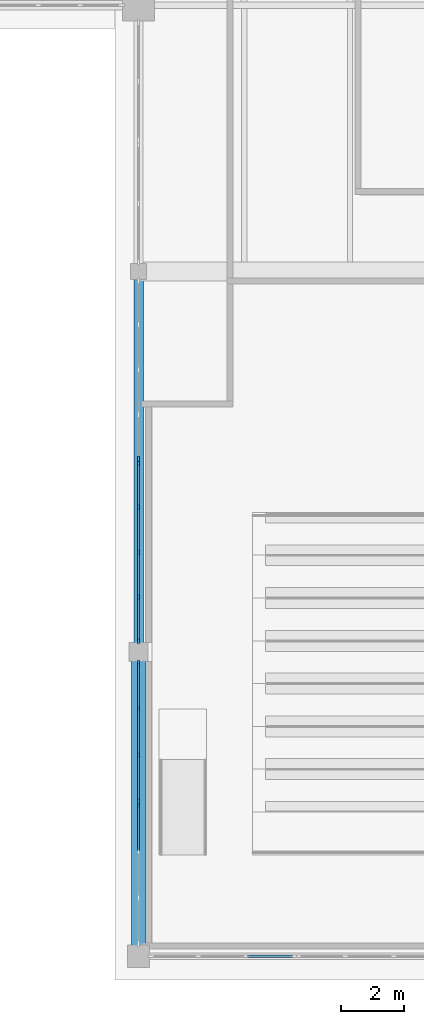
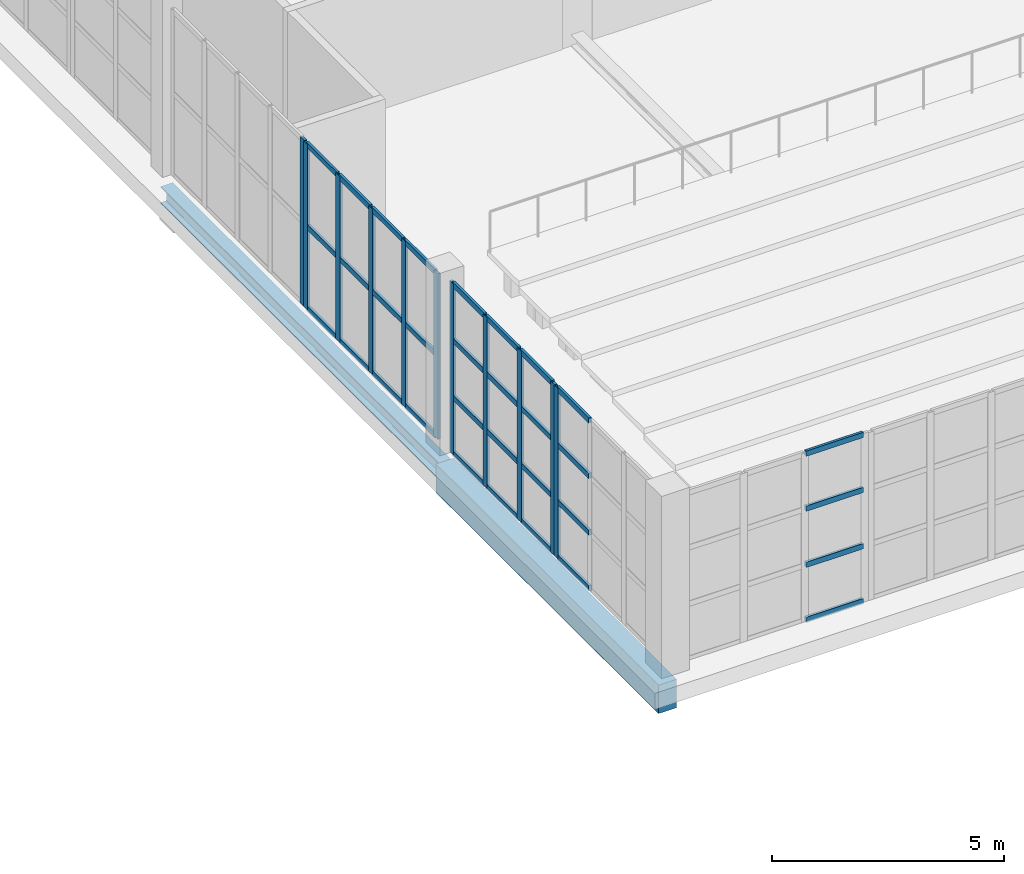
# One storey, part 48 of 121: 43 members, 2 beams, 5 elements without a shape of their own.
"""IFC4 building model written with IfcOpenShell, lengths in metres."""

import ifcopenshell
import ifcopenshell.guid

model = None  # the IFC model being written
_history = None  # IfcOwnerHistory: only IFC2X3 demands one
_inside = {}  # id of a spatial element -> (the spatial element, [elements in it])
_under = {}  # id of a project, library or spatial element -> (it, [spatial elements below it])
_declared = {}  # id of a project -> (the project, [libraries it declares])
_typed = {}  # id of a type object -> (the type object, [elements of that type])
_made_of = {}  # id of a material, layer set ... -> (it, [elements and type objects made of it])


def new_model(schema):
    """Start an empty IFC model of exactly this schema.

    Asked for "IFC4X3", IfcOpenShell would pick the latest addendum, in which some entities
    have other attributes; the version numbers below select the first issue.
    IFC2X3 requires an IfcOwnerHistory on every rooted entity: one is made here for all.
    """
    global model, _history
    if schema == "IFC4X3":
        model = ifcopenshell.file(schema_version=(4, 3, 0, 0))
    else:
        model = ifcopenshell.file(schema=schema)
    _inside.clear()
    _under.clear()
    _declared.clear()
    _typed.clear()
    _made_of.clear()
    _history = None
    if model.schema == "IFC2X3":
        org = make("IfcOrganization", Name="unknown")
        user = make(
            "IfcPersonAndOrganization",
            ThePerson=make("IfcPerson", FamilyName="unknown"),
            TheOrganization=org,
        )
        app = make(
            "IfcApplication",
            ApplicationDeveloper=org,
            Version="unknown",
            ApplicationFullName="unknown",
            ApplicationIdentifier="unknown",
        )
        _history = make(
            "IfcOwnerHistory",
            OwningUser=user,
            OwningApplication=app,
            ChangeAction="ADDED",
            CreationDate=0,
        )
    return model


def make(cls, **values):
    """One entity of the class cls with the attributes given. An attribute that is None is left unset."""
    return model.create_entity(
        cls, **{name: value for name, value in values.items() if value is not None}
    )


def rooted(cls, **values):
    """An entity with a GlobalId (a new one), such as an element, a storey or a relation."""
    return make(cls, GlobalId=ifcopenshell.guid.new(), OwnerHistory=_history, **values)


def si_unit(unit_type, name, prefix=None):
    """IfcSIUnit, for example si_unit("LENGTHUNIT", "METRE", prefix="MILLI")."""
    return make("IfcSIUnit", UnitType=unit_type, Prefix=prefix, Name=name)


def assignment(units):
    """IfcUnitAssignment: the units of a project."""
    return None if units is None else make("IfcUnitAssignment", Units=units)


def point(xyz):
    """IfcCartesianPoint."""
    return None if xyz is None else make("IfcCartesianPoint", Coordinates=xyz)


def direction(xyz):
    """IfcDirection."""
    return None if xyz is None else make("IfcDirection", DirectionRatios=xyz)


def frame(location, z_axis=None, x_axis=None):
    """IfcAxis2Placement3D, a coordinate frame: its origin and axes. An axis left out is left unset."""
    return make(
        "IfcAxis2Placement3D",
        Location=point(location),
        Axis=direction(z_axis),
        RefDirection=direction(x_axis),
    )


def frame_2d(location, x_axis=None):
    """IfcAxis2Placement2D, a coordinate frame in the plane: its origin and x axis."""
    return make(
        "IfcAxis2Placement2D", Location=point(location), RefDirection=direction(x_axis)
    )


def origin():
    """The frame at (0, 0, 0) with its axes left unset."""
    return frame((0.0, 0.0, 0.0))


def origin_2d():
    """The frame at (0, 0) in the plane with its x axis left unset."""
    return frame_2d((0.0, 0.0))


def place(relative_to, where):
    """IfcLocalPlacement: puts the frame where relative to a parent placement (None: the world)."""
    return make(
        "IfcLocalPlacement", PlacementRelTo=relative_to, RelativePlacement=where
    )


def context(
    kind, dimensions, precision=None, world=None, true_north=None, identifier=None
):
    """IfcGeometricRepresentationContext, for example the 3D "Model" context."""
    return make(
        "IfcGeometricRepresentationContext",
        ContextIdentifier=identifier,
        ContextType=kind,
        CoordinateSpaceDimension=dimensions,
        Precision=precision,
        WorldCoordinateSystem=world,
        TrueNorth=true_north,
    )


def subcontext(parent, identifier, kind, view, scale=None):
    """IfcGeometricRepresentationSubContext, for example "Body" below "Model"."""
    return make(
        "IfcGeometricRepresentationSubContext",
        ContextIdentifier=identifier,
        ContextType=kind,
        ParentContext=parent,
        TargetScale=scale,
        TargetView=view,
    )


def project(units=None, contexts=None):
    """IfcProject with its units and contexts."""
    return rooted(
        "IfcProject",
        Name="project",
        RepresentationContexts=contexts,
        UnitsInContext=assignment(units),
    )


def spatial(cls, under=None, at=None, **own):
    """A site, building, storey or space (cls), placed at a placement, below another one or the project."""
    s = rooted(cls, ObjectPlacement=at, **own)
    if under is not None:
        _under.setdefault(under.id(), (under, []))[1].append(s)
    return s


def profile(cls, at=None, kind="AREA", **sizes):
    """A parametric profile (cls). Its sizes go by their IFC names, for example OverallWidth=200.0."""
    return make(cls, ProfileType=kind, Position=at, **sizes)


def rectangle(**sizes):
    """IfcRectangleProfileDef."""
    return profile("IfcRectangleProfileDef", **sizes)


def i_section(**sizes):
    """IfcIShapeProfileDef."""
    return profile("IfcIShapeProfileDef", **sizes)


def extrude(swept, where, along, depth):
    """IfcExtrudedAreaSolid: the profile swept, set in the frame where, extruded along a direction by depth."""
    return make(
        "IfcExtrudedAreaSolid",
        SweptArea=swept,
        Position=where,
        ExtrudedDirection=direction(along),
        Depth=depth,
    )


def shape(context_of_items, identifier, shape_type, items):
    """IfcShapeRepresentation: the items that make up one representation, for example the "Body"."""
    return make(
        "IfcShapeRepresentation",
        ContextOfItems=context_of_items,
        RepresentationIdentifier=identifier,
        RepresentationType=shape_type,
        Items=items,
    )


def material(Name=None, Category=None):
    """IfcMaterial."""
    return make("IfcMaterial", Name=Name, Category=Category)


def layer(
    of_material, thickness, ventilated=None, Name=None, Category=None, Priority=None
):
    """IfcMaterialLayer: one layer of a wall or slab, of a material (None: an air gap)."""
    return make(
        "IfcMaterialLayer",
        Material=of_material,
        LayerThickness=thickness,
        IsVentilated=ventilated,
        Name=Name,
        Category=Category,
        Priority=Priority,
    )


def layer_set(layers, Name=None):
    """IfcMaterialLayerSet."""
    return make("IfcMaterialLayerSet", MaterialLayers=layers, LayerSetName=Name)


def material_profile(
    of_material, cross_section, Name=None, Category=None, Priority=None
):
    """IfcMaterialProfile: a cross section and its material."""
    return make(
        "IfcMaterialProfile",
        Name=Name,
        Material=of_material,
        Profile=cross_section,
        Priority=Priority,
        Category=Category,
    )


def profile_set(profiles, Name=None, composite=None):
    """IfcMaterialProfileSet."""
    return make(
        "IfcMaterialProfileSet",
        Name=Name,
        MaterialProfiles=profiles,
        CompositeProfile=composite,
    )


def made_of(thing, what):
    """Note that an element or type object is made of a material, layer set ...; save() writes the relation."""
    if what is not None:
        _made_of.setdefault(what.id(), (what, []))[1].append(thing)
    return thing


def type_object(cls, material=None, **own):
    """A type object (cls), such as IfcWallType, which elements share."""
    return made_of(rooted(cls, **own), material)


def element(
    cls,
    number,
    at=None,
    inside=None,
    cuts=None,
    type_object=None,
    material=None,
    context=None,
    identifier="Body",
    shape_type=None,
    held_by="IfcProductDefinitionShape",
    body=None,
    shapes=None,
    **own,
):
    """One element of the class cls, such as IfcWall. Its Tag is "e" and its number.

    at: its placement. inside: the storey or other place that contains it. cuts: it is an
    opening in that element (IfcRelVoidsElement). A single representation is given by context,
    identifier, shape_type and body (its items); several are given by shapes. held_by: the class
    of the entity that holds the representations. save() writes the other relations.
    """
    e = rooted(cls, Tag="e%d" % number, ObjectPlacement=at, **own)
    if body is not None:
        shapes = [shape(context, identifier, shape_type, body)]
    if shapes is not None:
        e.Representation = make(held_by, Representations=shapes)
    if inside is not None:
        _inside.setdefault(inside.id(), (inside, []))[1].append(e)
    if cuts is not None:
        rooted(
            "IfcRelVoidsElement", RelatingBuildingElement=cuts, RelatedOpeningElement=e
        )
    if type_object is not None:
        _typed.setdefault(type_object.id(), (type_object, []))[1].append(e)
    return made_of(e, material)


def aggregate(whole, parts):
    """IfcRelAggregates: a whole, such as a stair, and the parts it consists of."""
    return rooted("IfcRelAggregates", RelatingObject=whole, RelatedObjects=parts)


def save(model, path):
    """Write the relations noted so far, then the file.

    IfcRelAggregates (storeys below a building ...), IfcRelContainedInSpatialStructure (elements
    in a storey), IfcRelDefinesByType, IfcRelAssociatesMaterial and IfcRelDeclares: one each for
    every whole, place, type object, material and project.
    """
    for whole, parts in _under.values():
        aggregate(whole, parts)
    for where, things in _inside.values():
        rooted(
            "IfcRelContainedInSpatialStructure",
            RelatedElements=things,
            RelatingStructure=where,
        )
    for kind, things in _typed.values():
        rooted("IfcRelDefinesByType", RelatedObjects=things, RelatingType=kind)
    for what, things in _made_of.values():
        rooted("IfcRelAssociatesMaterial", RelatedObjects=things, RelatingMaterial=what)
    for by, libraries in _declared.values():
        rooted("IfcRelDeclares", RelatingContext=by, RelatedDefinitions=libraries)
    model.write(path)


model = new_model("IFC4")

# Units and contexts
model_context = context("Model", 3, precision=1e-05, world=origin(), true_north=direction((0.0, 1.0)))
body_context = subcontext(model_context, "Body", "Model", "MODEL_VIEW")
ifc_project = project(units=[si_unit("LENGTHUNIT", "METRE"), si_unit("AREAUNIT", "SQUARE_METRE"), si_unit("VOLUMEUNIT", "CUBIC_METRE"), si_unit("PLANEANGLEUNIT", "RADIAN"), si_unit("MASSUNIT", "GRAM", prefix="KILO")], contexts=[model_context])

# Site, building, storey
site_placement = place(None, origin())
site = spatial("IfcSite", under=ifc_project, at=site_placement, CompositionType="ELEMENT")
building_placement = place(site_placement, origin())
building = spatial("IfcBuilding", under=site, at=building_placement, Name="Zereglee Splitstone Museum", CompositionType="ELEMENT")
storey_placement = place(building_placement, origin())
storey = spatial("IfcBuildingStorey", under=building, at=storey_placement, Name="L00", CompositionType="ELEMENT", Elevation=0.0)

# Curtain wall, member
ifc_material_1 = material(Name="Triple-glazed low-E argon glass and bronze-anodised aluminium", Category="aluminium")
ifc_layer_1 = layer(ifc_material_1, 0.179931640625)
ifc_layer_set_1 = layer_set([ifc_layer_1], Name="Triple-glazed low-E argon glass and bronze-anodised aluminium")
curtain_wall_type_1 = type_object("IfcCurtainWallType", Name="CW-0568-438", PredefinedType="USERDEFINED", material=ifc_layer_set_1)
curtain_wall_1_placement = place(storey_placement, origin())
curtain_wall_1 = element("IfcCurtainWall", 1, at=curtain_wall_1_placement, inside=storey, type_object=curtain_wall_type_1, Name="Glazed Curtain Wall CW-0568-438 (L00)", ObjectType="GLAZED CURTAIN WALL", PredefinedType="USERDEFINED")
ifc_material_2 = material(Name="Thermally broken bronze-anodised aluminium", Category="aluminium")
ifc_material_profile_1 = material_profile(ifc_material_2, rectangle(XDim=0.06494140625, YDim=0.179931640625, at=origin_2d()), Name="CW MULL 65x180")
ifc_profile_set_1 = profile_set([ifc_material_profile_1], Name="Thermally broken bronze-anodised aluminium")
member_type_1 = type_object("IfcMemberType", Name="CWM-01", PredefinedType="MULLION", material=ifc_profile_set_1)
member_1_placement = place(storey_placement, frame((256.0, 15.697509765625, 0.0), z_axis=(0.0, 0.0, 1.0), x_axis=(1.0, 0.0, 0.0)))
member_1 = element("IfcMember", 2, at=member_1_placement, type_object=member_type_1, Name="CW-0568-438 mullion 5", PredefinedType="MULLION", context=body_context, shape_type="SweptSolid", body=[
    extrude(rectangle(XDim=0.06494140625, YDim=0.179931640625, at=origin_2d()), origin(), (0.0, 0.0, 1.0), 4.3798828125),
])
aggregate(curtain_wall_1, [member_1])

# Curtain wall, members
ifc_layer_2 = layer(ifc_material_1, 0.179931640625)
ifc_layer_set_2 = layer_set([ifc_layer_2], Name="Triple-glazed low-E argon glass and bronze-anodised aluminium")
curtain_wall_type_2 = type_object("IfcCurtainWallType", Name="CW-0568-436", PredefinedType="USERDEFINED", material=ifc_layer_set_2)
curtain_wall_2_placement = place(storey_placement, origin())
curtain_wall_2 = element("IfcCurtainWall", 3, at=curtain_wall_2_placement, inside=storey, type_object=curtain_wall_type_2, Name="Glazed Curtain Wall CW-0568-436 (L00)", ObjectType="GLAZED CURTAIN WALL", PredefinedType="USERDEFINED")
member_2_placement = place(storey_placement, frame((256.0, 15.552490234375, 0.0), z_axis=(0.0, 0.0, 1.0), x_axis=(1.0, 0.0, 0.0)))
member_2 = element("IfcMember", 4, at=member_2_placement, type_object=member_type_1, Name="CW-0568-436 mullion 1", PredefinedType="MULLION", context=body_context, shape_type="SweptSolid", body=[
    extrude(rectangle(XDim=0.06494140625, YDim=0.179931640625, at=origin_2d()), origin(), (0.0, 0.0, 1.0), 4.360107421875),
])
member_3_placement = place(storey_placement, frame((256.0, 14.165771484375, 0.0), z_axis=(0.0, 0.0, 1.0), x_axis=(1.0, 0.0, 0.0)))
member_3 = element("IfcMember", 5, at=member_3_placement, type_object=member_type_1, Name="CW-0568-436 mullion 2", PredefinedType="MULLION", context=body_context, shape_type="SweptSolid", body=[
    extrude(rectangle(XDim=0.06494140625, YDim=0.179931640625, at=origin_2d()), origin(), (0.0, 0.0, 1.0), 4.360107421875),
])
member_4_placement = place(storey_placement, frame((256.0, 12.74658203125, 0.0), z_axis=(0.0, 0.0, 1.0), x_axis=(1.0, 0.0, 0.0)))
member_4 = element("IfcMember", 6, at=member_4_placement, type_object=member_type_1, Name="CW-0568-436 mullion 3", PredefinedType="MULLION", context=body_context, shape_type="SweptSolid", body=[
    extrude(rectangle(XDim=0.06494140625, YDim=0.179931640625, at=origin_2d()), origin(), (0.0, 0.0, 1.0), 4.360107421875),
])
member_5_placement = place(storey_placement, frame((256.0, 11.3271484375, 0.0), z_axis=(0.0, 0.0, 1.0), x_axis=(1.0, 0.0, 0.0)))
member_5 = element("IfcMember", 7, at=member_5_placement, type_object=member_type_1, Name="CW-0568-436 mullion 4", PredefinedType="MULLION", context=body_context, shape_type="SweptSolid", body=[
    extrude(rectangle(XDim=0.06494140625, YDim=0.179931640625, at=origin_2d()), origin(), (0.0, 0.0, 1.0), 4.360107421875),
])
member_6_placement = place(storey_placement, frame((256.0, 9.9404296875, 0.0), z_axis=(0.0, 0.0, 1.0), x_axis=(1.0, 0.0, 0.0)))
member_6 = element("IfcMember", 8, at=member_6_placement, type_object=member_type_1, Name="CW-0568-436 mullion 5", PredefinedType="MULLION", context=body_context, shape_type="SweptSolid", body=[
    extrude(rectangle(XDim=0.06494140625, YDim=0.179931640625, at=origin_2d()), origin(), (0.0, 0.0, 1.0), 4.360107421875),
])

ifc_layer_3 = layer(ifc_material_1, 0.179931640625)
ifc_layer_set_3 = layer_set([ifc_layer_3], Name="Triple-glazed low-E argon glass and bronze-anodised aluminium")
curtain_wall_type_3 = type_object("IfcCurtainWallType", Name="CW-0443-450", PredefinedType="USERDEFINED", material=ifc_layer_set_3)
curtain_wall_3_placement = place(storey_placement, origin())
curtain_wall_3 = element("IfcCurtainWall", 9, at=curtain_wall_3_placement, inside=storey, type_object=curtain_wall_type_3, Name="Glazed Curtain Wall CW-0443-450 (L00)", ObjectType="GLAZED CURTAIN WALL", PredefinedType="USERDEFINED")
member_7_placement = place(storey_placement, frame((256.0, 9.259521484375, 0.0), z_axis=(0.0, 0.0, 1.0), x_axis=(1.0, 0.0, 0.0)))
member_7 = element("IfcMember", 10, at=member_7_placement, type_object=member_type_1, Name="CW-0443-450 mullion 1", PredefinedType="MULLION", context=body_context, shape_type="SweptSolid", body=[
    extrude(rectangle(XDim=0.06494140625, YDim=0.179931640625, at=origin_2d()), origin(), (0.0, 0.0, 1.0), 4.5),
])
member_8_placement = place(storey_placement, frame((256.0, 7.81640625, 0.0), z_axis=(0.0, 0.0, 1.0), x_axis=(1.0, 0.0, 0.0)))
member_8 = element("IfcMember", 11, at=member_8_placement, type_object=member_type_1, Name="CW-0443-450 mullion 2", PredefinedType="MULLION", context=body_context, shape_type="SweptSolid", body=[
    extrude(rectangle(XDim=0.06494140625, YDim=0.179931640625, at=origin_2d()), origin(), (0.0, 0.0, 1.0), 4.5),
])
member_9_placement = place(storey_placement, frame((256.0, 6.340576171875, 0.0), z_axis=(0.0, 0.0, 1.0), x_axis=(1.0, 0.0, 0.0)))
member_9 = element("IfcMember", 12, at=member_9_placement, type_object=member_type_1, Name="CW-0443-450 mullion 3", PredefinedType="MULLION", context=body_context, shape_type="SweptSolid", body=[
    extrude(rectangle(XDim=0.06494140625, YDim=0.179931640625, at=origin_2d()), origin(), (0.0, 0.0, 1.0), 4.5),
])
member_10_placement = place(storey_placement, frame((256.0, 4.8974609375, 0.0), z_axis=(0.0, 0.0, 1.0), x_axis=(1.0, 0.0, 0.0)))
member_10 = element("IfcMember", 13, at=member_10_placement, type_object=member_type_1, Name="CW-0443-450 mullion 4", PredefinedType="MULLION", context=body_context, shape_type="SweptSolid", body=[
    extrude(rectangle(XDim=0.06494140625, YDim=0.179931640625, at=origin_2d()), origin(), (0.0, 0.0, 1.0), 4.5),
])

# Curtain wall, member
ifc_layer_4 = layer(ifc_material_1, 0.179931640625)
ifc_layer_set_4 = layer_set([ifc_layer_4], Name="Triple-glazed low-E argon glass and bronze-anodised aluminium")
curtain_wall_type_4 = type_object("IfcCurtainWallType", Name="CW-0443-448", PredefinedType="USERDEFINED", material=ifc_layer_set_4)
curtain_wall_4_placement = place(storey_placement, origin())
curtain_wall_4 = element("IfcCurtainWall", 14, at=curtain_wall_4_placement, inside=storey, type_object=curtain_wall_type_4, Name="Glazed Curtain Wall CW-0443-448 (L00)", ObjectType="GLAZED CURTAIN WALL", PredefinedType="USERDEFINED")
member_11_placement = place(storey_placement, frame((256.0, 4.75244140625, 0.0), z_axis=(0.0, 0.0, 1.0), x_axis=(1.0, 0.0, 0.0)))
member_11 = element("IfcMember", 15, at=member_11_placement, type_object=member_type_1, Name="CW-0443-448 mullion 1", PredefinedType="MULLION", context=body_context, shape_type="SweptSolid", body=[
    extrude(rectangle(XDim=0.06494140625, YDim=0.179931640625, at=origin_2d()), origin(), (0.0, 0.0, 1.0), 4.47998046875),
])

# Member
ifc_material_profile_2 = material_profile(ifc_material_2, rectangle(XDim=0.06494140625, YDim=0.139892578125, at=origin_2d()), Name="CW TRAN 65x140")
ifc_profile_set_2 = profile_set([ifc_material_profile_2], Name="Thermally broken bronze-anodised aluminium")
member_type_2 = type_object("IfcMemberType", Name="CWT-01", PredefinedType="USERDEFINED", material=ifc_profile_set_2)
member_12_placement = place(storey_placement, frame((256.0, 15.52001953125, 0.032470703125), z_axis=(0.0, -1.0, 0.0), x_axis=(1.0, 0.0, 0.0)))
member_12 = element("IfcMember", 16, at=member_12_placement, type_object=member_type_2, Name="CW-0568-436 transom 1.1", ObjectType="TRANSOM", PredefinedType="USERDEFINED", context=body_context, shape_type="SweptSolid", body=[
    extrude(rectangle(XDim=0.06494140625, YDim=0.139892578125, at=origin_2d()), origin(), (0.0, 0.0, 1.0), 1.32177734375),
])

member_13_placement = place(storey_placement, frame((256.0, 15.52001953125, 2.179931640625), z_axis=(0.0, -1.0, 0.0), x_axis=(1.0, 0.0, 0.0)))
member_13 = element("IfcMember", 17, at=member_13_placement, type_object=member_type_2, Name="CW-0568-436 transom 1.2", ObjectType="TRANSOM", PredefinedType="USERDEFINED", context=body_context, shape_type="SweptSolid", body=[
    extrude(rectangle(XDim=0.06494140625, YDim=0.139892578125, at=origin_2d()), origin(), (0.0, 0.0, 1.0), 1.32177734375),
])

member_14_placement = place(storey_placement, frame((256.0, 15.52001953125, 4.327392578125), z_axis=(0.0, -1.0, 0.0), x_axis=(1.0, 0.0, 0.0)))
member_14 = element("IfcMember", 18, at=member_14_placement, type_object=member_type_2, Name="CW-0568-436 transom 1.3", ObjectType="TRANSOM", PredefinedType="USERDEFINED", context=body_context, shape_type="SweptSolid", body=[
    extrude(rectangle(XDim=0.06494140625, YDim=0.139892578125, at=origin_2d()), origin(), (0.0, 0.0, 1.0), 1.32177734375),
])

member_15_placement = place(storey_placement, frame((256.0, 14.13330078125, 0.032470703125), z_axis=(0.0, -1.0, 0.0), x_axis=(1.0, 0.0, 0.0)))
member_15 = element("IfcMember", 19, at=member_15_placement, type_object=member_type_2, Name="CW-0568-436 transom 2.1", ObjectType="TRANSOM", PredefinedType="USERDEFINED", context=body_context, shape_type="SweptSolid", body=[
    extrude(rectangle(XDim=0.06494140625, YDim=0.139892578125, at=origin_2d()), origin(), (0.0, 0.0, 1.0), 1.354248046875),
])

member_16_placement = place(storey_placement, frame((256.0, 14.13330078125, 2.179931640625), z_axis=(0.0, -1.0, 0.0), x_axis=(1.0, 0.0, 0.0)))
member_16 = element("IfcMember", 20, at=member_16_placement, type_object=member_type_2, Name="CW-0568-436 transom 2.2", ObjectType="TRANSOM", PredefinedType="USERDEFINED", context=body_context, shape_type="SweptSolid", body=[
    extrude(rectangle(XDim=0.06494140625, YDim=0.139892578125, at=origin_2d()), origin(), (0.0, 0.0, 1.0), 1.354248046875),
])

member_17_placement = place(storey_placement, frame((256.0, 14.13330078125, 4.327392578125), z_axis=(0.0, -1.0, 0.0), x_axis=(1.0, 0.0, 0.0)))
member_17 = element("IfcMember", 21, at=member_17_placement, type_object=member_type_2, Name="CW-0568-436 transom 2.3", ObjectType="TRANSOM", PredefinedType="USERDEFINED", context=body_context, shape_type="SweptSolid", body=[
    extrude(rectangle(XDim=0.06494140625, YDim=0.139892578125, at=origin_2d()), origin(), (0.0, 0.0, 1.0), 1.354248046875),
])

member_18_placement = place(storey_placement, frame((256.0, 12.714111328125, 0.032470703125), z_axis=(0.0, -1.0, 0.0), x_axis=(1.0, 0.0, 0.0)))
member_18 = element("IfcMember", 22, at=member_18_placement, type_object=member_type_2, Name="CW-0568-436 transom 3.1", ObjectType="TRANSOM", PredefinedType="USERDEFINED", context=body_context, shape_type="SweptSolid", body=[
    extrude(rectangle(XDim=0.06494140625, YDim=0.139892578125, at=origin_2d()), origin(), (0.0, 0.0, 1.0), 1.354248046875),
])

member_19_placement = place(storey_placement, frame((256.0, 12.714111328125, 2.179931640625), z_axis=(0.0, -1.0, 0.0), x_axis=(1.0, 0.0, 0.0)))
member_19 = element("IfcMember", 23, at=member_19_placement, type_object=member_type_2, Name="CW-0568-436 transom 3.2", ObjectType="TRANSOM", PredefinedType="USERDEFINED", context=body_context, shape_type="SweptSolid", body=[
    extrude(rectangle(XDim=0.06494140625, YDim=0.139892578125, at=origin_2d()), origin(), (0.0, 0.0, 1.0), 1.354248046875),
])

member_20_placement = place(storey_placement, frame((256.0, 12.714111328125, 4.327392578125), z_axis=(0.0, -1.0, 0.0), x_axis=(1.0, 0.0, 0.0)))
member_20 = element("IfcMember", 24, at=member_20_placement, type_object=member_type_2, Name="CW-0568-436 transom 3.3", ObjectType="TRANSOM", PredefinedType="USERDEFINED", context=body_context, shape_type="SweptSolid", body=[
    extrude(rectangle(XDim=0.06494140625, YDim=0.139892578125, at=origin_2d()), origin(), (0.0, 0.0, 1.0), 1.354248046875),
])

member_21_placement = place(storey_placement, frame((256.0, 11.294677734375, 0.032470703125), z_axis=(0.0, -1.0, 0.0), x_axis=(1.0, 0.0, 0.0)))
member_21 = element("IfcMember", 25, at=member_21_placement, type_object=member_type_2, Name="CW-0568-436 transom 4.1", ObjectType="TRANSOM", PredefinedType="USERDEFINED", context=body_context, shape_type="SweptSolid", body=[
    extrude(rectangle(XDim=0.06494140625, YDim=0.139892578125, at=origin_2d()), origin(), (0.0, 0.0, 1.0), 1.32177734375),
])

member_22_placement = place(storey_placement, frame((256.0, 11.294677734375, 2.179931640625), z_axis=(0.0, -1.0, 0.0), x_axis=(1.0, 0.0, 0.0)))
member_22 = element("IfcMember", 26, at=member_22_placement, type_object=member_type_2, Name="CW-0568-436 transom 4.2", ObjectType="TRANSOM", PredefinedType="USERDEFINED", context=body_context, shape_type="SweptSolid", body=[
    extrude(rectangle(XDim=0.06494140625, YDim=0.139892578125, at=origin_2d()), origin(), (0.0, 0.0, 1.0), 1.32177734375),
])

member_23_placement = place(storey_placement, frame((256.0, 11.294677734375, 4.327392578125), z_axis=(0.0, -1.0, 0.0), x_axis=(1.0, 0.0, 0.0)))
member_23 = element("IfcMember", 27, at=member_23_placement, type_object=member_type_2, Name="CW-0568-436 transom 4.3", ObjectType="TRANSOM", PredefinedType="USERDEFINED", context=body_context, shape_type="SweptSolid", body=[
    extrude(rectangle(XDim=0.06494140625, YDim=0.139892578125, at=origin_2d()), origin(), (0.0, 0.0, 1.0), 1.32177734375),
])

aggregate(curtain_wall_2, [member_2, member_3, member_4, member_5, member_6, member_12, member_13, member_14, member_15, member_16, member_17, member_18, member_19, member_20, member_21, member_22, member_23])

member_24_placement = place(storey_placement, frame((256.0, 9.22705078125, 0.032470703125), z_axis=(0.0, -1.0, 0.0), x_axis=(1.0, 0.0, 0.0)))
member_24 = element("IfcMember", 28, at=member_24_placement, type_object=member_type_2, Name="CW-0443-450 transom 1.1", ObjectType="TRANSOM", PredefinedType="USERDEFINED", context=body_context, shape_type="SweptSolid", body=[
    extrude(rectangle(XDim=0.06494140625, YDim=0.139892578125, at=origin_2d()), origin(), (0.0, 0.0, 1.0), 1.378173828125),
])

member_25_placement = place(storey_placement, frame((256.0, 9.22705078125, 1.5), z_axis=(0.0, -1.0, 0.0), x_axis=(1.0, 0.0, 0.0)))
member_25 = element("IfcMember", 29, at=member_25_placement, type_object=member_type_2, Name="CW-0443-450 transom 1.2", ObjectType="TRANSOM", PredefinedType="USERDEFINED", context=body_context, shape_type="SweptSolid", body=[
    extrude(rectangle(XDim=0.06494140625, YDim=0.139892578125, at=origin_2d()), origin(), (0.0, 0.0, 1.0), 1.378173828125),
])

member_26_placement = place(storey_placement, frame((256.0, 9.22705078125, 3.0), z_axis=(0.0, -1.0, 0.0), x_axis=(1.0, 0.0, 0.0)))
member_26 = element("IfcMember", 30, at=member_26_placement, type_object=member_type_2, Name="CW-0443-450 transom 1.3", ObjectType="TRANSOM", PredefinedType="USERDEFINED", context=body_context, shape_type="SweptSolid", body=[
    extrude(rectangle(XDim=0.06494140625, YDim=0.139892578125, at=origin_2d()), origin(), (0.0, 0.0, 1.0), 1.378173828125),
])

member_27_placement = place(storey_placement, frame((256.0, 9.22705078125, 4.467529296875), z_axis=(0.0, -1.0, 0.0), x_axis=(1.0, 0.0, 0.0)))
member_27 = element("IfcMember", 31, at=member_27_placement, type_object=member_type_2, Name="CW-0443-450 transom 1.4", ObjectType="TRANSOM", PredefinedType="USERDEFINED", context=body_context, shape_type="SweptSolid", body=[
    extrude(rectangle(XDim=0.06494140625, YDim=0.139892578125, at=origin_2d()), origin(), (0.0, 0.0, 1.0), 1.378173828125),
])

member_28_placement = place(storey_placement, frame((256.0, 7.783935546875, 0.032470703125), z_axis=(0.0, -1.0, 0.0), x_axis=(1.0, 0.0, 0.0)))
member_28 = element("IfcMember", 32, at=member_28_placement, type_object=member_type_2, Name="CW-0443-450 transom 2.1", ObjectType="TRANSOM", PredefinedType="USERDEFINED", context=body_context, shape_type="SweptSolid", body=[
    extrude(rectangle(XDim=0.06494140625, YDim=0.139892578125, at=origin_2d()), origin(), (0.0, 0.0, 1.0), 1.410888671875),
])

member_29_placement = place(storey_placement, frame((256.0, 7.783935546875, 1.5), z_axis=(0.0, -1.0, 0.0), x_axis=(1.0, 0.0, 0.0)))
member_29 = element("IfcMember", 33, at=member_29_placement, type_object=member_type_2, Name="CW-0443-450 transom 2.2", ObjectType="TRANSOM", PredefinedType="USERDEFINED", context=body_context, shape_type="SweptSolid", body=[
    extrude(rectangle(XDim=0.06494140625, YDim=0.139892578125, at=origin_2d()), origin(), (0.0, 0.0, 1.0), 1.410888671875),
])

member_30_placement = place(storey_placement, frame((256.0, 7.783935546875, 3.0), z_axis=(0.0, -1.0, 0.0), x_axis=(1.0, 0.0, 0.0)))
member_30 = element("IfcMember", 34, at=member_30_placement, type_object=member_type_2, Name="CW-0443-450 transom 2.3", ObjectType="TRANSOM", PredefinedType="USERDEFINED", context=body_context, shape_type="SweptSolid", body=[
    extrude(rectangle(XDim=0.06494140625, YDim=0.139892578125, at=origin_2d()), origin(), (0.0, 0.0, 1.0), 1.410888671875),
])

member_31_placement = place(storey_placement, frame((256.0, 7.783935546875, 4.467529296875), z_axis=(0.0, -1.0, 0.0), x_axis=(1.0, 0.0, 0.0)))
member_31 = element("IfcMember", 35, at=member_31_placement, type_object=member_type_2, Name="CW-0443-450 transom 2.4", ObjectType="TRANSOM", PredefinedType="USERDEFINED", context=body_context, shape_type="SweptSolid", body=[
    extrude(rectangle(XDim=0.06494140625, YDim=0.139892578125, at=origin_2d()), origin(), (0.0, 0.0, 1.0), 1.410888671875),
])

member_32_placement = place(storey_placement, frame((256.0, 6.30810546875, 0.032470703125), z_axis=(0.0, -1.0, 0.0), x_axis=(1.0, 0.0, 0.0)))
member_32 = element("IfcMember", 36, at=member_32_placement, type_object=member_type_2, Name="CW-0443-450 transom 3.1", ObjectType="TRANSOM", PredefinedType="USERDEFINED", context=body_context, shape_type="SweptSolid", body=[
    extrude(rectangle(XDim=0.06494140625, YDim=0.139892578125, at=origin_2d()), origin(), (0.0, 0.0, 1.0), 1.378173828125),
])

member_33_placement = place(storey_placement, frame((256.0, 6.30810546875, 1.5), z_axis=(0.0, -1.0, 0.0), x_axis=(1.0, 0.0, 0.0)))
member_33 = element("IfcMember", 37, at=member_33_placement, type_object=member_type_2, Name="CW-0443-450 transom 3.2", ObjectType="TRANSOM", PredefinedType="USERDEFINED", context=body_context, shape_type="SweptSolid", body=[
    extrude(rectangle(XDim=0.06494140625, YDim=0.139892578125, at=origin_2d()), origin(), (0.0, 0.0, 1.0), 1.378173828125),
])

member_34_placement = place(storey_placement, frame((256.0, 6.30810546875, 3.0), z_axis=(0.0, -1.0, 0.0), x_axis=(1.0, 0.0, 0.0)))
member_34 = element("IfcMember", 38, at=member_34_placement, type_object=member_type_2, Name="CW-0443-450 transom 3.3", ObjectType="TRANSOM", PredefinedType="USERDEFINED", context=body_context, shape_type="SweptSolid", body=[
    extrude(rectangle(XDim=0.06494140625, YDim=0.139892578125, at=origin_2d()), origin(), (0.0, 0.0, 1.0), 1.378173828125),
])

member_35_placement = place(storey_placement, frame((256.0, 6.30810546875, 4.467529296875), z_axis=(0.0, -1.0, 0.0), x_axis=(1.0, 0.0, 0.0)))
member_35 = element("IfcMember", 39, at=member_35_placement, type_object=member_type_2, Name="CW-0443-450 transom 3.4", ObjectType="TRANSOM", PredefinedType="USERDEFINED", context=body_context, shape_type="SweptSolid", body=[
    extrude(rectangle(XDim=0.06494140625, YDim=0.139892578125, at=origin_2d()), origin(), (0.0, 0.0, 1.0), 1.378173828125),
])

aggregate(curtain_wall_3, [member_7, member_8, member_9, member_10, member_24, member_25, member_26, member_27, member_28, member_29, member_30, member_31, member_32, member_33, member_34, member_35])

member_36_placement = place(storey_placement, frame((256.0, 4.719970703125, 0.032470703125), z_axis=(0.0, -1.0, 0.0), x_axis=(1.0, 0.0, 0.0)))
member_36 = element("IfcMember", 40, at=member_36_placement, type_object=member_type_2, Name="CW-0443-448 transom 1.1", ObjectType="TRANSOM", PredefinedType="USERDEFINED", context=body_context, shape_type="SweptSolid", body=[
    extrude(rectangle(XDim=0.06494140625, YDim=0.139892578125, at=origin_2d()), origin(), (0.0, 0.0, 1.0), 1.378173828125),
])

member_37_placement = place(storey_placement, frame((256.0, 4.719970703125, 1.493408203125), z_axis=(0.0, -1.0, 0.0), x_axis=(1.0, 0.0, 0.0)))
member_37 = element("IfcMember", 41, at=member_37_placement, type_object=member_type_2, Name="CW-0443-448 transom 1.2", ObjectType="TRANSOM", PredefinedType="USERDEFINED", context=body_context, shape_type="SweptSolid", body=[
    extrude(rectangle(XDim=0.06494140625, YDim=0.139892578125, at=origin_2d()), origin(), (0.0, 0.0, 1.0), 1.378173828125),
])

member_38_placement = place(storey_placement, frame((256.0, 4.719970703125, 2.98681640625), z_axis=(0.0, -1.0, 0.0), x_axis=(1.0, 0.0, 0.0)))
member_38 = element("IfcMember", 42, at=member_38_placement, type_object=member_type_2, Name="CW-0443-448 transom 1.3", ObjectType="TRANSOM", PredefinedType="USERDEFINED", context=body_context, shape_type="SweptSolid", body=[
    extrude(rectangle(XDim=0.06494140625, YDim=0.139892578125, at=origin_2d()), origin(), (0.0, 0.0, 1.0), 1.378173828125),
])

member_39_placement = place(storey_placement, frame((256.0, 4.719970703125, 4.447509765625), z_axis=(0.0, -1.0, 0.0), x_axis=(1.0, 0.0, 0.0)))
member_39 = element("IfcMember", 43, at=member_39_placement, type_object=member_type_2, Name="CW-0443-448 transom 1.4", ObjectType="TRANSOM", PredefinedType="USERDEFINED", context=body_context, shape_type="SweptSolid", body=[
    extrude(rectangle(XDim=0.06494140625, YDim=0.139892578125, at=origin_2d()), origin(), (0.0, 0.0, 1.0), 1.378173828125),
])

aggregate(curtain_wall_4, [member_11, member_36, member_37, member_38, member_39])

# Curtain wall, members
ifc_layer_5 = layer(ifc_material_1, 0.179931640625)
ifc_layer_set_5 = layer_set([ifc_layer_5], Name="Triple-glazed low-E argon glass and bronze-anodised aluminium")
curtain_wall_type_5 = type_object("IfcCurtainWallType", Name="CW-0456-444", PredefinedType="USERDEFINED", material=ifc_layer_set_5)
curtain_wall_5_placement = place(storey_placement, origin())
curtain_wall_5 = element("IfcCurtainWall", 44, at=curtain_wall_5_placement, inside=storey, type_object=curtain_wall_type_5, Name="Glazed Curtain Wall CW-0456-444 (L00)", ObjectType="GLAZED CURTAIN WALL", PredefinedType="USERDEFINED")
member_40_placement = place(storey_placement, frame((259.43359375, 0.0, 0.032470703125), z_axis=(1.0, 0.0, 0.0), x_axis=(0.0, 1.0, 0.0)))
member_40 = element("IfcMember", 45, at=member_40_placement, type_object=member_type_2, Name="CW-0456-444 transom 3.1", ObjectType="TRANSOM", PredefinedType="USERDEFINED", context=body_context, shape_type="SweptSolid", body=[
    extrude(rectangle(XDim=0.06494140625, YDim=0.139892578125, at=origin_2d()), origin(), (0.0, 0.0, 1.0), 1.423828125),
])
member_41_placement = place(storey_placement, frame((259.43359375, 0.0, 1.47998046875), z_axis=(1.0, 0.0, 0.0), x_axis=(0.0, 1.0, 0.0)))
member_41 = element("IfcMember", 46, at=member_41_placement, type_object=member_type_2, Name="CW-0456-444 transom 3.2", ObjectType="TRANSOM", PredefinedType="USERDEFINED", context=body_context, shape_type="SweptSolid", body=[
    extrude(rectangle(XDim=0.06494140625, YDim=0.139892578125, at=origin_2d()), origin(), (0.0, 0.0, 1.0), 1.423828125),
])
member_42_placement = place(storey_placement, frame((259.43359375, 0.0, 2.9599609375), z_axis=(1.0, 0.0, 0.0), x_axis=(0.0, 1.0, 0.0)))
member_42 = element("IfcMember", 47, at=member_42_placement, type_object=member_type_2, Name="CW-0456-444 transom 3.3", ObjectType="TRANSOM", PredefinedType="USERDEFINED", context=body_context, shape_type="SweptSolid", body=[
    extrude(rectangle(XDim=0.06494140625, YDim=0.139892578125, at=origin_2d()), origin(), (0.0, 0.0, 1.0), 1.423828125),
])
member_43_placement = place(storey_placement, frame((259.43359375, 0.0, 4.407470703125), z_axis=(1.0, 0.0, 0.0), x_axis=(0.0, 1.0, 0.0)))
member_43 = element("IfcMember", 48, at=member_43_placement, type_object=member_type_2, Name="CW-0456-444 transom 3.4", ObjectType="TRANSOM", PredefinedType="USERDEFINED", context=body_context, shape_type="SweptSolid", body=[
    extrude(rectangle(XDim=0.06494140625, YDim=0.139892578125, at=origin_2d()), origin(), (0.0, 0.0, 1.0), 1.423828125),
])
aggregate(curtain_wall_5, [member_40, member_41, member_42, member_43])

# Beams
ifc_material_3 = material(Name="Steel S355J2", Category="steel")
ifc_material_profile_3 = material_profile(ifc_material_3, i_section(OverallWidth=0.300048828125, OverallDepth=0.449951171875, WebThickness=0.013916015625, FlangeThickness=0.02587890625, FilletRadius=0.027099609375, at=origin_2d()), Name="HE 450 B")
ifc_profile_set_3 = profile_set([ifc_material_profile_3], Name="Steel S355J2")
beam_type_1 = type_object("IfcBeamType", Name="SP-02", PredefinedType="SPANDREL", material=ifc_profile_set_3)
beam_1_placement = place(storey_placement, frame((256.0, 9.60009765625, -0.64501953125), z_axis=(0.0, 1.0, 0.0), x_axis=(-1.0, 0.0, 0.0)))
element("IfcBeam", 49, at=beam_1_placement, inside=storey, type_object=beam_type_1, Name="Primary Girder L00 29 (9.6-21.6)", PredefinedType="SPANDREL", context=body_context, shape_type="SweptSolid", body=[
    extrude(i_section(OverallWidth=0.300048828125, OverallDepth=0.449951171875, WebThickness=0.013916015625, FlangeThickness=0.02587890625, FilletRadius=0.027099609375, at=origin_2d()), origin(), (0.0, 0.0, 1.0), 12.0),
])
ifc_material_4 = material(Name="Concrete C40/50", Category="concrete")
ifc_material_profile_4 = material_profile(ifc_material_4, rectangle(XDim=0.449951171875, YDim=0.75, at=origin_2d()), Name="RC 450x750")
ifc_profile_set_4 = profile_set([ifc_material_profile_4], Name="Concrete C40/50")
beam_type_2 = type_object("IfcBeamType", Name="SP-01", PredefinedType="SPANDREL", material=ifc_profile_set_4)
beam_2_placement = place(storey_placement, frame((256.0, 0.0, -0.794921875), z_axis=(0.0, 1.0, 0.0), x_axis=(-1.0, 0.0, 0.0)))
element("IfcBeam", 50, at=beam_2_placement, inside=storey, type_object=beam_type_2, Name="Primary Girder L00 29 (0.0-9.6)", PredefinedType="SPANDREL", context=body_context, shape_type="SweptSolid", body=[
    extrude(rectangle(XDim=0.449951171875, YDim=0.75, at=origin_2d()), origin(), (0.0, 0.0, 1.0), 9.60009765625),
])

save(model, "model.ifc")
